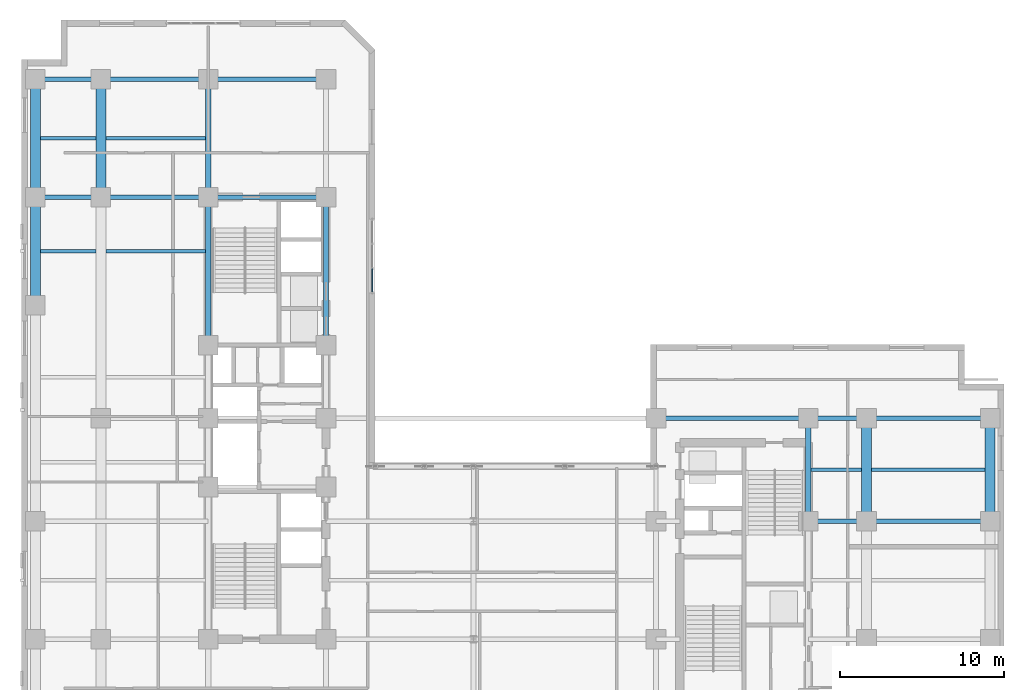
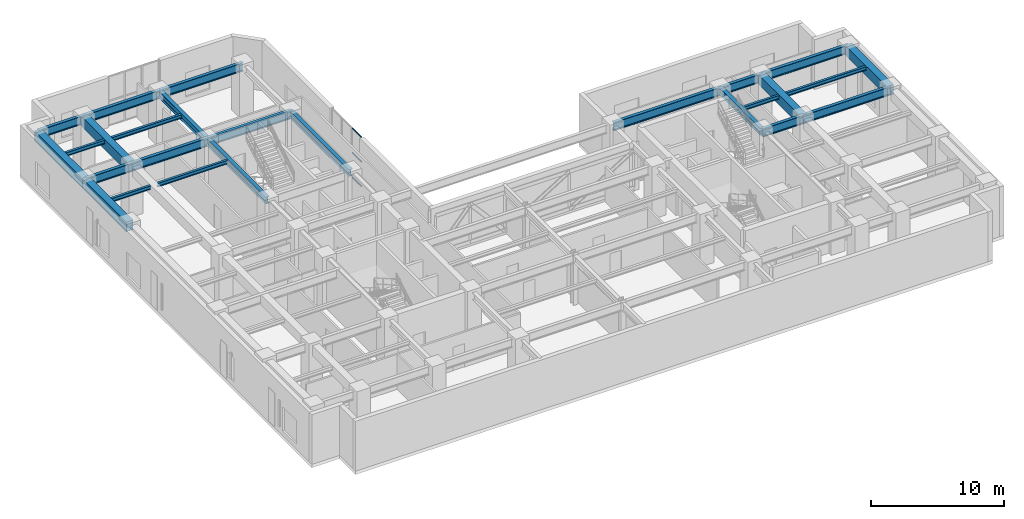
# One storey, part 8 of 18: 26 beams, 3 members, 1 element without a shape of its own.
"""IFC4 building model written with IfcOpenShell, lengths in metres."""

import ifcopenshell
import ifcopenshell.guid

model = None  # the IFC model being written
_history = None  # IfcOwnerHistory: only IFC2X3 demands one
_inside = {}  # id of a spatial element -> (the spatial element, [elements in it])
_under = {}  # id of a project, library or spatial element -> (it, [spatial elements below it])
_declared = {}  # id of a project -> (the project, [libraries it declares])
_typed = {}  # id of a type object -> (the type object, [elements of that type])
_made_of = {}  # id of a material, layer set ... -> (it, [elements and type objects made of it])


def new_model(schema):
    """Start an empty IFC model of exactly this schema.

    Asked for "IFC4X3", IfcOpenShell would pick the latest addendum, in which some entities
    have other attributes; the version numbers below select the first issue.
    IFC2X3 requires an IfcOwnerHistory on every rooted entity: one is made here for all.
    """
    global model, _history
    if schema == "IFC4X3":
        model = ifcopenshell.file(schema_version=(4, 3, 0, 0))
    else:
        model = ifcopenshell.file(schema=schema)
    _inside.clear()
    _under.clear()
    _declared.clear()
    _typed.clear()
    _made_of.clear()
    _history = None
    if model.schema == "IFC2X3":
        org = make("IfcOrganization", Name="unknown")
        user = make(
            "IfcPersonAndOrganization",
            ThePerson=make("IfcPerson", FamilyName="unknown"),
            TheOrganization=org,
        )
        app = make(
            "IfcApplication",
            ApplicationDeveloper=org,
            Version="unknown",
            ApplicationFullName="unknown",
            ApplicationIdentifier="unknown",
        )
        _history = make(
            "IfcOwnerHistory",
            OwningUser=user,
            OwningApplication=app,
            ChangeAction="ADDED",
            CreationDate=0,
        )
    return model


def make(cls, **values):
    """One entity of the class cls with the attributes given. An attribute that is None is left unset."""
    return model.create_entity(
        cls, **{name: value for name, value in values.items() if value is not None}
    )


def entity(cls, *values):
    """Any entity or typed value of the class cls, its attributes in the order of the schema. None: left unset."""
    e = model.create_entity(cls)
    for i, value in enumerate(values):
        if value is not None:
            e[i] = value
    return e


def rooted(cls, **values):
    """An entity with a GlobalId (a new one), such as an element, a storey or a relation."""
    return make(cls, GlobalId=ifcopenshell.guid.new(), OwnerHistory=_history, **values)


def si_unit(unit_type, name, prefix=None):
    """IfcSIUnit, for example si_unit("LENGTHUNIT", "METRE", prefix="MILLI")."""
    return make("IfcSIUnit", UnitType=unit_type, Prefix=prefix, Name=name)


def converted_unit(unit_type, name, factor, base, dimensions=None, offset=None):
    """IfcConversionBasedUnit, such as the inch: factor (a typed value) times the base unit."""
    return make(
        "IfcConversionBasedUnit"
        if offset is None
        else "IfcConversionBasedUnitWithOffset",
        ConversionOffset=offset,
        Dimensions=None
        if dimensions is None
        else entity("IfcDimensionalExponents", *dimensions),
        UnitType=unit_type,
        Name=name,
        ConversionFactor=make(
            "IfcMeasureWithUnit", ValueComponent=factor, UnitComponent=base
        ),
    )


def assignment(units):
    """IfcUnitAssignment: the units of a project."""
    return None if units is None else make("IfcUnitAssignment", Units=units)


def point(xyz):
    """IfcCartesianPoint."""
    return None if xyz is None else make("IfcCartesianPoint", Coordinates=xyz)


def direction(xyz):
    """IfcDirection."""
    return None if xyz is None else make("IfcDirection", DirectionRatios=xyz)


def frame(location, z_axis=None, x_axis=None):
    """IfcAxis2Placement3D, a coordinate frame: its origin and axes. An axis left out is left unset."""
    return make(
        "IfcAxis2Placement3D",
        Location=point(location),
        Axis=direction(z_axis),
        RefDirection=direction(x_axis),
    )


def frame_2d(location, x_axis=None):
    """IfcAxis2Placement2D, a coordinate frame in the plane: its origin and x axis."""
    return make(
        "IfcAxis2Placement2D", Location=point(location), RefDirection=direction(x_axis)
    )


def origin_with_axes():
    """The frame at (0, 0, 0) with the z axis (0, 0, 1) and the x axis (1, 0, 0) written out."""
    return frame((0.0, 0.0, 0.0), z_axis=(0.0, 0.0, 1.0), x_axis=(1.0, 0.0, 0.0))


def origin_2d_with_axis():
    """The frame at (0, 0) in the plane with the x axis (1, 0) written out."""
    return frame_2d((0.0, 0.0), x_axis=(1.0, 0.0))


def place(relative_to, where):
    """IfcLocalPlacement: puts the frame where relative to a parent placement (None: the world)."""
    return make(
        "IfcLocalPlacement", PlacementRelTo=relative_to, RelativePlacement=where
    )


def context(
    kind, dimensions, precision=None, world=None, true_north=None, identifier=None
):
    """IfcGeometricRepresentationContext, for example the 3D "Model" context."""
    return make(
        "IfcGeometricRepresentationContext",
        ContextIdentifier=identifier,
        ContextType=kind,
        CoordinateSpaceDimension=dimensions,
        Precision=precision,
        WorldCoordinateSystem=world,
        TrueNorth=true_north,
    )


def subcontext(parent, identifier, kind, view, scale=None):
    """IfcGeometricRepresentationSubContext, for example "Body" below "Model"."""
    return make(
        "IfcGeometricRepresentationSubContext",
        ContextIdentifier=identifier,
        ContextType=kind,
        ParentContext=parent,
        TargetScale=scale,
        TargetView=view,
    )


def project(units=None, contexts=None):
    """IfcProject with its units and contexts."""
    return rooted(
        "IfcProject",
        Name="project",
        RepresentationContexts=contexts,
        UnitsInContext=assignment(units),
    )


def spatial(cls, under=None, at=None, **own):
    """A site, building, storey or space (cls), placed at a placement, below another one or the project."""
    s = rooted(cls, ObjectPlacement=at, **own)
    if under is not None:
        _under.setdefault(under.id(), (under, []))[1].append(s)
    return s


def profile(cls, at=None, kind="AREA", **sizes):
    """A parametric profile (cls). Its sizes go by their IFC names, for example OverallWidth=200.0."""
    return make(cls, ProfileType=kind, Position=at, **sizes)


def rectangle(**sizes):
    """IfcRectangleProfileDef."""
    return profile("IfcRectangleProfileDef", **sizes)


def hollow_rectangle(**sizes):
    """IfcRectangleHollowProfileDef."""
    return profile("IfcRectangleHollowProfileDef", **sizes)


def i_section(**sizes):
    """IfcIShapeProfileDef."""
    return profile("IfcIShapeProfileDef", **sizes)


def extrude(swept, where, along, depth):
    """IfcExtrudedAreaSolid: the profile swept, set in the frame where, extruded along a direction by depth."""
    return make(
        "IfcExtrudedAreaSolid",
        SweptArea=swept,
        Position=where,
        ExtrudedDirection=direction(along),
        Depth=depth,
    )


def shape(context_of_items, identifier, shape_type, items):
    """IfcShapeRepresentation: the items that make up one representation, for example the "Body"."""
    return make(
        "IfcShapeRepresentation",
        ContextOfItems=context_of_items,
        RepresentationIdentifier=identifier,
        RepresentationType=shape_type,
        Items=items,
    )


def material(Name=None, Category=None):
    """IfcMaterial."""
    return make("IfcMaterial", Name=Name, Category=Category)


def material_profile(
    of_material, cross_section, Name=None, Category=None, Priority=None
):
    """IfcMaterialProfile: a cross section and its material."""
    return make(
        "IfcMaterialProfile",
        Name=Name,
        Material=of_material,
        Profile=cross_section,
        Priority=Priority,
        Category=Category,
    )


def profile_set(profiles, Name=None, composite=None):
    """IfcMaterialProfileSet."""
    return make(
        "IfcMaterialProfileSet",
        Name=Name,
        MaterialProfiles=profiles,
        CompositeProfile=composite,
    )


def made_of(thing, what):
    """Note that an element or type object is made of a material, layer set ...; save() writes the relation."""
    if what is not None:
        _made_of.setdefault(what.id(), (what, []))[1].append(thing)
    return thing


def type_object(cls, material=None, **own):
    """A type object (cls), such as IfcWallType, which elements share."""
    return made_of(rooted(cls, **own), material)


def element(
    cls,
    number,
    at=None,
    inside=None,
    cuts=None,
    type_object=None,
    material=None,
    context=None,
    identifier="Body",
    shape_type=None,
    held_by="IfcProductDefinitionShape",
    body=None,
    shapes=None,
    **own,
):
    """One element of the class cls, such as IfcWall. Its Tag is "e" and its number.

    at: its placement. inside: the storey or other place that contains it. cuts: it is an
    opening in that element (IfcRelVoidsElement). A single representation is given by context,
    identifier, shape_type and body (its items); several are given by shapes. held_by: the class
    of the entity that holds the representations. save() writes the other relations.
    """
    e = rooted(cls, Tag="e%d" % number, ObjectPlacement=at, **own)
    if body is not None:
        shapes = [shape(context, identifier, shape_type, body)]
    if shapes is not None:
        e.Representation = make(held_by, Representations=shapes)
    if inside is not None:
        _inside.setdefault(inside.id(), (inside, []))[1].append(e)
    if cuts is not None:
        rooted(
            "IfcRelVoidsElement", RelatingBuildingElement=cuts, RelatedOpeningElement=e
        )
    if type_object is not None:
        _typed.setdefault(type_object.id(), (type_object, []))[1].append(e)
    return made_of(e, material)


def aggregate(whole, parts):
    """IfcRelAggregates: a whole, such as a stair, and the parts it consists of."""
    return rooted("IfcRelAggregates", RelatingObject=whole, RelatedObjects=parts)


def save(model, path):
    """Write the relations noted so far, then the file.

    IfcRelAggregates (storeys below a building ...), IfcRelContainedInSpatialStructure (elements
    in a storey), IfcRelDefinesByType, IfcRelAssociatesMaterial and IfcRelDeclares: one each for
    every whole, place, type object, material and project.
    """
    for whole, parts in _under.values():
        aggregate(whole, parts)
    for where, things in _inside.values():
        rooted(
            "IfcRelContainedInSpatialStructure",
            RelatedElements=things,
            RelatingStructure=where,
        )
    for kind, things in _typed.values():
        rooted("IfcRelDefinesByType", RelatedObjects=things, RelatingType=kind)
    for what, things in _made_of.values():
        rooted("IfcRelAssociatesMaterial", RelatedObjects=things, RelatingMaterial=what)
    for by, libraries in _declared.values():
        rooted("IfcRelDeclares", RelatingContext=by, RelatedDefinitions=libraries)
    model.write(path)


model = new_model("IFC4")

# Units and contexts
model_context = context("Model", 3, precision=1e-05, world=origin_with_axes(), true_north=direction((0.0, 1.0)))
body_context = subcontext(model_context, "Body", "Model", "MODEL_VIEW")
ifc_project = project(units=[si_unit("LENGTHUNIT", "METRE"), si_unit("AREAUNIT", "SQUARE_METRE"), si_unit("VOLUMEUNIT", "CUBIC_METRE"), converted_unit("PLANEANGLEUNIT", "DEGREE", entity("IfcPlaneAngleMeasure", 0.017453292519943295), si_unit("PLANEANGLEUNIT", "RADIAN"), dimensions=[0, 0, 0, 0, 0, 0, 0]), si_unit("MASSUNIT", "GRAM", prefix="KILO"), si_unit("THERMODYNAMICTEMPERATUREUNIT", "KELVIN")], contexts=[model_context])

# Site, building, storey
site_placement = place(None, origin_with_axes())
site = spatial("IfcSite", under=ifc_project, at=site_placement, CompositionType="ELEMENT")
building_placement = place(site_placement, origin_with_axes())
building = spatial("IfcBuilding", under=site, at=building_placement, Name="Varnlund Millrace Tower", CompositionType="ELEMENT")
storey_placement = place(building_placement, frame((0.0, 0.0, 124.2), z_axis=(0.0, 0.0, 1.0), x_axis=(1.0, 0.0, 0.0)))
storey = spatial("IfcBuildingStorey", under=building, at=storey_placement, Name="L30", CompositionType="ELEMENT", Elevation=124.2)

# Curtain wall, members
ifc_material_1 = material(Name="Thermally broken architectural bronze curtain wall", Category="aluminium")
curtain_wall_type = type_object("IfcCurtainWallType", Name="Type-CW-Sys5-SkyLobby2Pool", PredefinedType="NOTDEFINED", material=ifc_material_1)
curtain_wall_placement = place(storey_placement, frame((21.41, 36.45, 0.0), z_axis=(0.0, 0.0, 1.0), x_axis=(1.0, 0.0, 0.0)))
curtain_wall = element("IfcCurtainWall", 1, at=curtain_wall_placement, inside=storey, type_object=curtain_wall_type, Name="Type-CW-Sys5-SkyLobby2Pool", PredefinedType="NOTDEFINED")
ifc_material_2 = material(Name="Architectural bronze aluminium alloy 6063-T6", Category="aluminium")
ifc_material_profile_1 = material_profile(ifc_material_2, hollow_rectangle(XDim=0.06, YDim=0.12, WallThickness=0.004, InnerFilletRadius=0.004, OuterFilletRadius=0.008, at=origin_2d_with_axis()), Name="Architectural bronze aluminium alloy 6063-T6")
ifc_profile_set_1 = profile_set([ifc_material_profile_1], Name="Architectural bronze aluminium alloy 6063-T6")
member_type = type_object("IfcMemberType", Name="Type-CW-Transom-60X120", PredefinedType="USERDEFINED", material=ifc_profile_set_1)
member_1_placement = place(storey_placement, frame((21.41, 33.42, 0.03), z_axis=(0.0, -1.0, 0.0), x_axis=(1.0, 0.0, 0.0)))
member_1 = element("IfcMember", 2, at=member_1_placement, type_object=member_type, Name="CW-05 transom 3.1", ObjectType="TRANSOM", PredefinedType="USERDEFINED", context=body_context, shape_type="SweptSolid", body=[
    extrude(hollow_rectangle(XDim=0.06, YDim=0.12, WallThickness=0.004, InnerFilletRadius=0.004, OuterFilletRadius=0.008, at=origin_2d_with_axis()), origin_with_axes(), (0.0, 0.0, 1.0), 1.41),
])
member_2_placement = place(storey_placement, frame((21.41, 33.42, 2.28), z_axis=(0.0, -1.0, 0.0), x_axis=(1.0, 0.0, 0.0)))
member_2 = element("IfcMember", 3, at=member_2_placement, type_object=member_type, Name="CW-05 transom 3.2", ObjectType="TRANSOM", PredefinedType="USERDEFINED", context=body_context, shape_type="SweptSolid", body=[
    extrude(hollow_rectangle(XDim=0.06, YDim=0.12, WallThickness=0.004, InnerFilletRadius=0.004, OuterFilletRadius=0.008, at=origin_2d_with_axis()), origin_with_axes(), (0.0, 0.0, 1.0), 1.41),
])
member_3_placement = place(storey_placement, frame((21.41, 33.42, 4.53), z_axis=(0.0, -1.0, 0.0), x_axis=(1.0, 0.0, 0.0)))
member_3 = element("IfcMember", 4, at=member_3_placement, type_object=member_type, Name="CW-05 transom 3.3", ObjectType="TRANSOM", PredefinedType="USERDEFINED", context=body_context, shape_type="SweptSolid", body=[
    extrude(hollow_rectangle(XDim=0.06, YDim=0.12, WallThickness=0.004, InnerFilletRadius=0.004, OuterFilletRadius=0.008, at=origin_2d_with_axis()), origin_with_axes(), (0.0, 0.0, 1.0), 1.41),
])
aggregate(curtain_wall, [member_1, member_2, member_3])

# Beams
ifc_material_3 = material(Name="Steel ASTM A992 Grade 50", Category="steel")
ifc_material_profile_2 = material_profile(ifc_material_3, i_section(OverallWidth=0.328, OverallDepth=0.628, WebThickness=0.0165, FlangeThickness=0.0277, FilletRadius=0.018, at=origin_2d_with_axis()), Name="Steel ASTM A992 Grade 50")
ifc_profile_set_2 = profile_set([ifc_material_profile_2], Name="Steel ASTM A992 Grade 50")
beam_type_1 = type_object("IfcBeamType", Name="Type-Girder-W24X146", PredefinedType="USERDEFINED", material=ifc_profile_set_2)
beam_1_placement = place(storey_placement, frame((11.4, 28.75, 4.246), z_axis=(0.0, 1.0, 0.0), x_axis=(-1.0, 0.0, 0.0)))
element("IfcBeam", 5, at=beam_1_placement, inside=storey, type_object=beam_type_1, Name="Type-Girder-W24X146", ObjectType="GIRDER", PredefinedType="USERDEFINED", context=body_context, shape_type="SweptSolid", body=[
    extrude(i_section(OverallWidth=0.328, OverallDepth=0.628, WebThickness=0.0165, FlangeThickness=0.0277, FilletRadius=0.018, at=origin_2d_with_axis()), origin_with_axes(), (0.0, 0.0, 1.0), 9.05),
])
beam_2_placement = place(storey_placement, frame((11.4, 37.8, 4.246), z_axis=(0.0, 1.0, 0.0), x_axis=(-1.0, 0.0, 0.0)))
element("IfcBeam", 6, at=beam_2_placement, inside=storey, type_object=beam_type_1, Name="Type-Girder-W24X146", ObjectType="GIRDER", PredefinedType="USERDEFINED", context=body_context, shape_type="SweptSolid", body=[
    extrude(i_section(OverallWidth=0.328, OverallDepth=0.628, WebThickness=0.0165, FlangeThickness=0.0277, FilletRadius=0.018, at=origin_2d_with_axis()), origin_with_axes(), (0.0, 0.0, 1.0), 7.2),
])
beam_3_placement = place(storey_placement, frame((18.6, 28.75, 4.246), z_axis=(0.0, 1.0, 0.0), x_axis=(-1.0, 0.0, 0.0)))
element("IfcBeam", 7, at=beam_3_placement, inside=storey, type_object=beam_type_1, Name="Type-Girder-W24X146", ObjectType="GIRDER", PredefinedType="USERDEFINED", context=body_context, shape_type="SweptSolid", body=[
    extrude(i_section(OverallWidth=0.328, OverallDepth=0.628, WebThickness=0.0165, FlangeThickness=0.0277, FilletRadius=0.018, at=origin_2d_with_axis()), origin_with_axes(), (0.0, 0.0, 1.0), 9.05),
])
beam_4_placement = place(storey_placement, frame((48.05, 18.0, 4.246), z_axis=(0.0, 1.0, 0.0), x_axis=(-1.0, 0.0, 0.0)))
element("IfcBeam", 8, at=beam_4_placement, inside=storey, type_object=beam_type_1, Name="Type-Girder-W24X146", ObjectType="GIRDER", PredefinedType="USERDEFINED", context=body_context, shape_type="SweptSolid", body=[
    extrude(i_section(OverallWidth=0.328, OverallDepth=0.628, WebThickness=0.0165, FlangeThickness=0.0277, FilletRadius=0.018, at=origin_2d_with_axis()), origin_with_axes(), (0.0, 0.0, 1.0), 6.3),
])
ifc_material_profile_3 = material_profile(ifc_material_3, i_section(OverallWidth=0.266, OverallDepth=0.779, WebThickness=0.0165, FlangeThickness=0.03, FilletRadius=0.02, at=origin_2d_with_axis()), Name="Steel ASTM A992 Grade 50")
ifc_profile_set_3 = profile_set([ifc_material_profile_3], Name="Steel ASTM A992 Grade 50")
beam_type_2 = type_object("IfcBeamType", Name="Type-Girder-W30X148", PredefinedType="USERDEFINED", material=ifc_profile_set_3)
beam_5_placement = place(storey_placement, frame((48.05, 18.0, 4.1705), z_axis=(1.0, 0.0, 0.0), x_axis=(0.0, 1.0, 0.0)))
element("IfcBeam", 9, at=beam_5_placement, inside=storey, type_object=beam_type_2, Name="Type-Girder-W30X148", ObjectType="GIRDER", PredefinedType="USERDEFINED", context=body_context, shape_type="SweptSolid", body=[
    extrude(i_section(OverallWidth=0.266, OverallDepth=0.779, WebThickness=0.0165, FlangeThickness=0.03, FilletRadius=0.02, at=origin_2d_with_axis()), origin_with_axes(), (0.0, 0.0, 1.0), 3.55),
])
beam_6_placement = place(storey_placement, frame((51.6, 18.0, 4.1705), z_axis=(1.0, 0.0, 0.0), x_axis=(0.0, 1.0, 0.0)))
element("IfcBeam", 10, at=beam_6_placement, inside=storey, type_object=beam_type_2, Name="Type-Girder-W30X148", ObjectType="GIRDER", PredefinedType="USERDEFINED", context=body_context, shape_type="SweptSolid", body=[
    extrude(i_section(OverallWidth=0.266, OverallDepth=0.779, WebThickness=0.0165, FlangeThickness=0.03, FilletRadius=0.02, at=origin_2d_with_axis()), origin_with_axes(), (0.0, 0.0, 1.0), 7.55),
])
beam_7_placement = place(storey_placement, frame((38.75, 24.3, 4.1705), z_axis=(1.0, 0.0, 0.0), x_axis=(0.0, 1.0, 0.0)))
element("IfcBeam", 11, at=beam_7_placement, inside=storey, type_object=beam_type_2, Name="Type-Girder-W30X148", ObjectType="GIRDER", PredefinedType="USERDEFINED", context=body_context, shape_type="SweptSolid", body=[
    extrude(i_section(OverallWidth=0.266, OverallDepth=0.779, WebThickness=0.0165, FlangeThickness=0.03, FilletRadius=0.02, at=origin_2d_with_axis()), origin_with_axes(), (0.0, 0.0, 1.0), 9.3),
])
beam_8_placement = place(storey_placement, frame((48.05, 24.3, 4.1705), z_axis=(1.0, 0.0, 0.0), x_axis=(0.0, 1.0, 0.0)))
element("IfcBeam", 12, at=beam_8_placement, inside=storey, type_object=beam_type_2, Name="Type-Girder-W30X148", ObjectType="GIRDER", PredefinedType="USERDEFINED", context=body_context, shape_type="SweptSolid", body=[
    extrude(i_section(OverallWidth=0.266, OverallDepth=0.779, WebThickness=0.0165, FlangeThickness=0.03, FilletRadius=0.02, at=origin_2d_with_axis()), origin_with_axes(), (0.0, 0.0, 1.0), 3.55),
])
beam_9_placement = place(storey_placement, frame((51.6, 24.3, 4.1705), z_axis=(1.0, 0.0, 0.0), x_axis=(0.0, 1.0, 0.0)))
element("IfcBeam", 13, at=beam_9_placement, inside=storey, type_object=beam_type_2, Name="Type-Girder-W30X148", ObjectType="GIRDER", PredefinedType="USERDEFINED", context=body_context, shape_type="SweptSolid", body=[
    extrude(i_section(OverallWidth=0.266, OverallDepth=0.779, WebThickness=0.0165, FlangeThickness=0.03, FilletRadius=0.02, at=origin_2d_with_axis()), origin_with_axes(), (0.0, 0.0, 1.0), 7.55),
])
beam_10_placement = place(storey_placement, frame((0.85, 37.8, 4.1705), z_axis=(1.0, 0.0, 0.0), x_axis=(0.0, 1.0, 0.0)))
element("IfcBeam", 14, at=beam_10_placement, inside=storey, type_object=beam_type_2, Name="Type-Girder-W30X148", ObjectType="GIRDER", PredefinedType="USERDEFINED", context=body_context, shape_type="SweptSolid", body=[
    extrude(i_section(OverallWidth=0.266, OverallDepth=0.779, WebThickness=0.0165, FlangeThickness=0.03, FilletRadius=0.02, at=origin_2d_with_axis()), origin_with_axes(), (0.0, 0.0, 1.0), 4.0),
])
beam_11_placement = place(storey_placement, frame((4.85, 37.8, 4.1705), z_axis=(1.0, 0.0, 0.0), x_axis=(0.0, 1.0, 0.0)))
element("IfcBeam", 15, at=beam_11_placement, inside=storey, type_object=beam_type_2, Name="Type-Girder-W30X148", ObjectType="GIRDER", PredefinedType="USERDEFINED", context=body_context, shape_type="SweptSolid", body=[
    extrude(i_section(OverallWidth=0.266, OverallDepth=0.779, WebThickness=0.0165, FlangeThickness=0.03, FilletRadius=0.02, at=origin_2d_with_axis()), origin_with_axes(), (0.0, 0.0, 1.0), 6.55),
])
beam_12_placement = place(storey_placement, frame((11.4, 37.8, 4.1705), z_axis=(1.0, 0.0, 0.0), x_axis=(0.0, 1.0, 0.0)))
element("IfcBeam", 16, at=beam_12_placement, inside=storey, type_object=beam_type_2, Name="Type-Girder-W30X148", ObjectType="GIRDER", PredefinedType="USERDEFINED", context=body_context, shape_type="SweptSolid", body=[
    extrude(i_section(OverallWidth=0.266, OverallDepth=0.779, WebThickness=0.0165, FlangeThickness=0.03, FilletRadius=0.02, at=origin_2d_with_axis()), origin_with_axes(), (0.0, 0.0, 1.0), 7.2),
])
beam_13_placement = place(storey_placement, frame((0.85, 45.0, 4.1705), z_axis=(1.0, 0.0, 0.0), x_axis=(0.0, 1.0, 0.0)))
element("IfcBeam", 17, at=beam_13_placement, inside=storey, type_object=beam_type_2, Name="Type-Girder-W30X148", ObjectType="GIRDER", PredefinedType="USERDEFINED", context=body_context, shape_type="SweptSolid", body=[
    extrude(i_section(OverallWidth=0.266, OverallDepth=0.779, WebThickness=0.0165, FlangeThickness=0.03, FilletRadius=0.02, at=origin_2d_with_axis()), origin_with_axes(), (0.0, 0.0, 1.0), 4.0),
])
beam_14_placement = place(storey_placement, frame((4.85, 45.0, 4.1705), z_axis=(1.0, 0.0, 0.0), x_axis=(0.0, 1.0, 0.0)))
element("IfcBeam", 18, at=beam_14_placement, inside=storey, type_object=beam_type_2, Name="Type-Girder-W30X148", ObjectType="GIRDER", PredefinedType="USERDEFINED", context=body_context, shape_type="SweptSolid", body=[
    extrude(i_section(OverallWidth=0.266, OverallDepth=0.779, WebThickness=0.0165, FlangeThickness=0.03, FilletRadius=0.02, at=origin_2d_with_axis()), origin_with_axes(), (0.0, 0.0, 1.0), 6.55),
])
beam_15_placement = place(storey_placement, frame((11.4, 45.0, 4.1705), z_axis=(1.0, 0.0, 0.0), x_axis=(0.0, 1.0, 0.0)))
element("IfcBeam", 19, at=beam_15_placement, inside=storey, type_object=beam_type_2, Name="Type-Girder-W30X148", ObjectType="GIRDER", PredefinedType="USERDEFINED", context=body_context, shape_type="SweptSolid", body=[
    extrude(i_section(OverallWidth=0.266, OverallDepth=0.779, WebThickness=0.0165, FlangeThickness=0.03, FilletRadius=0.02, at=origin_2d_with_axis()), origin_with_axes(), (0.0, 0.0, 1.0), 7.2),
])
ifc_material_profile_4 = material_profile(ifc_material_3, i_section(OverallWidth=0.204, OverallDepth=0.35, WebThickness=0.0086, FlangeThickness=0.0151, FilletRadius=0.013, at=origin_2d_with_axis()), Name="Steel ASTM A992 Grade 50")
ifc_profile_set_4 = profile_set([ifc_material_profile_4], Name="Steel ASTM A992 Grade 50")
beam_type_3 = type_object("IfcBeamType", Name="Type-Joist-W14X48", PredefinedType="JOIST", material=ifc_profile_set_4)
for number, where, z_axis, x_axis, name in (
    (20, (1.15, 34.5, 4.385), (1.0, 0.0, 0.0), (0.0, 1.0, 0.0), "Type-Joist-W14X48"),
    (21, (1.15, 41.4, 4.385), (1.0, 0.0, 0.0), (0.0, 1.0, 0.0), "Type-Joist-W14X48"),
):
    element("IfcBeam", number, at=place(storey_placement, frame(where, z_axis=z_axis, x_axis=x_axis)), inside=storey, type_object=beam_type_3, Name=name, PredefinedType="JOIST", context=body_context, shape_type="SweptSolid", body=[
        extrude(i_section(OverallWidth=0.204, OverallDepth=0.35, WebThickness=0.0086, FlangeThickness=0.0151, FilletRadius=0.013, at=origin_2d_with_axis()), origin_with_axes(), (0.0, 0.0, 1.0), 3.4),
    ])
for number, where, z_axis, x_axis, name in (
    (22, (5.15, 34.5, 4.385), (1.0, 0.0, 0.0), (0.0, 1.0, 0.0), "Type-Joist-W14X48"),
    (23, (5.15, 41.4, 4.385), (1.0, 0.0, 0.0), (0.0, 1.0, 0.0), "Type-Joist-W14X48"),
):
    element("IfcBeam", number, at=place(storey_placement, frame(where, z_axis=z_axis, x_axis=x_axis)), inside=storey, type_object=beam_type_3, Name=name, PredefinedType="JOIST", context=body_context, shape_type="SweptSolid", body=[
        extrude(i_section(OverallWidth=0.204, OverallDepth=0.35, WebThickness=0.0086, FlangeThickness=0.0151, FilletRadius=0.013, at=origin_2d_with_axis()), origin_with_axes(), (0.0, 0.0, 1.0), 6.086),
    ])
beam_16_placement = place(storey_placement, frame((48.214, 21.15, 4.385), z_axis=(1.0, 0.0, 0.0), x_axis=(0.0, 1.0, 0.0)))
element("IfcBeam", 24, at=beam_16_placement, inside=storey, type_object=beam_type_3, Name="Type-Joist-W14X48", PredefinedType="JOIST", context=body_context, shape_type="SweptSolid", body=[
    extrude(i_section(OverallWidth=0.204, OverallDepth=0.35, WebThickness=0.0086, FlangeThickness=0.0151, FilletRadius=0.013, at=origin_2d_with_axis()), origin_with_axes(), (0.0, 0.0, 1.0), 3.086),
])
beam_17_placement = place(storey_placement, frame((51.9, 21.15, 4.385), z_axis=(1.0, 0.0, 0.0), x_axis=(0.0, 1.0, 0.0)))
element("IfcBeam", 25, at=beam_17_placement, inside=storey, type_object=beam_type_3, Name="Type-Joist-W14X48", PredefinedType="JOIST", context=body_context, shape_type="SweptSolid", body=[
    extrude(i_section(OverallWidth=0.204, OverallDepth=0.35, WebThickness=0.0086, FlangeThickness=0.0151, FilletRadius=0.013, at=origin_2d_with_axis()), origin_with_axes(), (0.0, 0.0, 1.0), 6.95),
])
ifc_material_4 = material(Name="Concrete C70/85", Category="concrete")
ifc_material_profile_5 = material_profile(ifc_material_4, rectangle(XDim=0.6, YDim=0.9, at=origin_2d_with_axis()), Name="Concrete C70/85")
ifc_profile_set_5 = profile_set([ifc_material_profile_5], Name="Concrete C70/85")
beam_type_4 = type_object("IfcBeamType", Name="Type-Spandrel-RC600X900", PredefinedType="SPANDREL", material=ifc_profile_set_5)
beam_18_placement = place(storey_placement, frame((0.85, 31.2, 4.11), z_axis=(0.0, 1.0, 0.0), x_axis=(-1.0, 0.0, 0.0)))
element("IfcBeam", 26, at=beam_18_placement, inside=storey, type_object=beam_type_4, Name="Type-Spandrel-RC600X900", PredefinedType="SPANDREL", context=body_context, shape_type="SweptSolid", body=[
    extrude(rectangle(XDim=0.6, YDim=0.9, at=origin_2d_with_axis()), origin_with_axes(), (0.0, 0.0, 1.0), 6.6),
])
for number, where, z_axis, x_axis, name in (
    (27, (0.85, 37.8, 4.11), (0.0, 1.0, 0.0), (-1.0, 0.0, 0.0), "Type-Spandrel-RC600X900"),
    (28, (4.85, 37.8, 4.11), (0.0, 1.0, 0.0), (-1.0, 0.0, 0.0), "Type-Spandrel-RC600X900"),
):
    element("IfcBeam", number, at=place(storey_placement, frame(where, z_axis=z_axis, x_axis=x_axis)), inside=storey, type_object=beam_type_4, Name=name, PredefinedType="SPANDREL", context=body_context, shape_type="SweptSolid", body=[
        extrude(rectangle(XDim=0.6, YDim=0.9, at=origin_2d_with_axis()), origin_with_axes(), (0.0, 0.0, 1.0), 7.2),
    ])
for number, where, z_axis, x_axis, name in (
    (29, (51.6, 18.0, 4.11), (0.0, 1.0, 0.0), (-1.0, 0.0, 0.0), "Type-Spandrel-RC600X900"),
    (30, (59.15, 18.0, 4.11), (0.0, 1.0, 0.0), (-1.0, 0.0, 0.0), "Type-Spandrel-RC600X900"),
):
    element("IfcBeam", number, at=place(storey_placement, frame(where, z_axis=z_axis, x_axis=x_axis)), inside=storey, type_object=beam_type_4, Name=name, PredefinedType="SPANDREL", context=body_context, shape_type="SweptSolid", body=[
        extrude(rectangle(XDim=0.6, YDim=0.9, at=origin_2d_with_axis()), origin_with_axes(), (0.0, 0.0, 1.0), 6.3),
    ])

save(model, "model.ifc")
